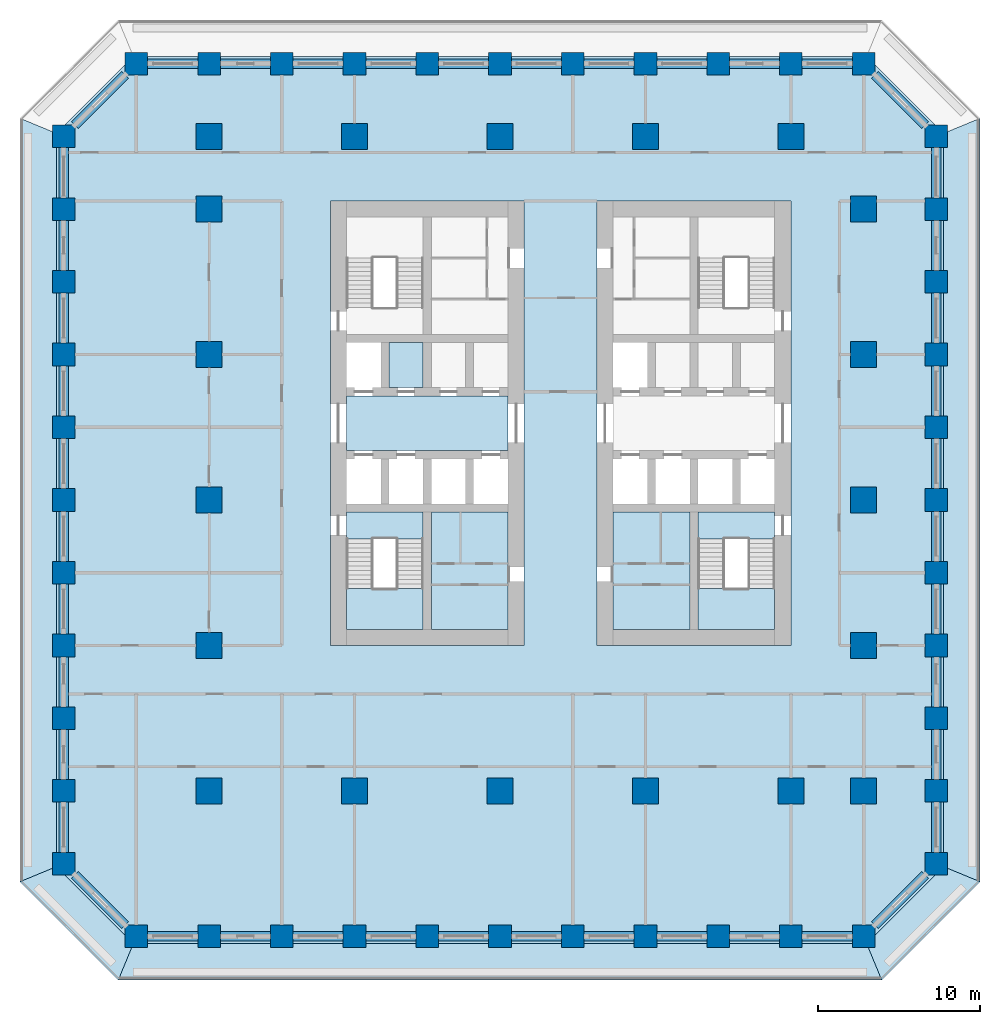
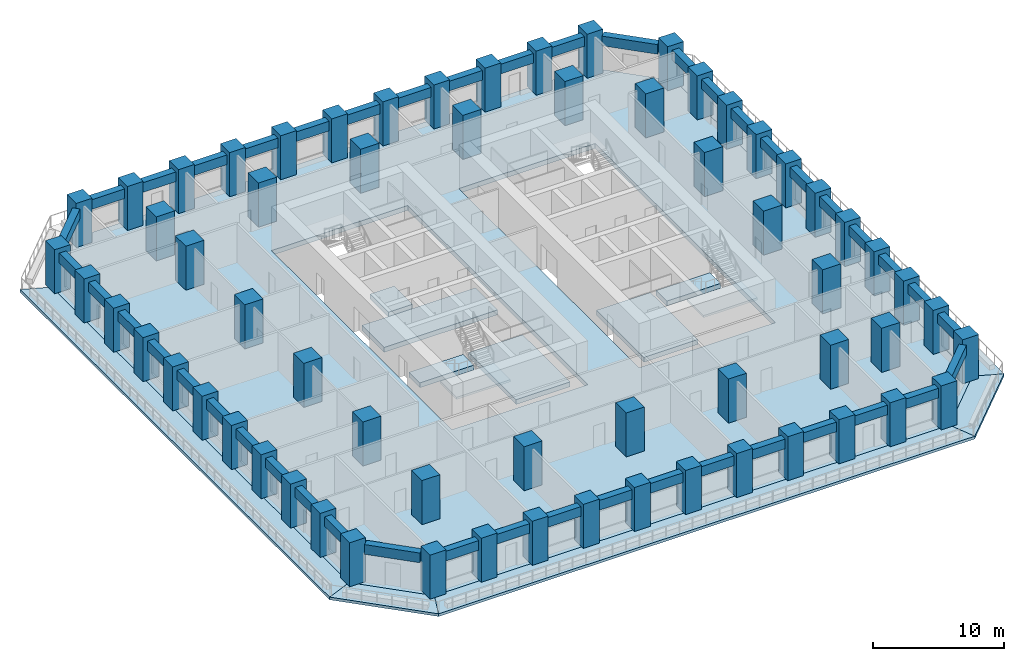
# One storey, part 1 of 12: 63 columns, 44 beams, 14 slabs, 2 elements without a shape of their own.
"""IFC4 building model written with IfcOpenShell, lengths in metres."""

from ifc_helpers import new_model, si_unit, direction, frame, origin, origin_2d, place, context, subcontext, project, spatial, polyline, rectangle, outline, extrude, material, layer, layer_set, material_profile, profile_set, type_object, element, aggregate, save


model = new_model("IFC4")

# Units and contexts
model_context = context("Model", 3, precision=1e-05, world=origin(), true_north=direction((0.0, 1.0)))
body_context = subcontext(model_context, "Body", "Model", "MODEL_VIEW")
ifc_project = project(units=[si_unit("LENGTHUNIT", "METRE"), si_unit("AREAUNIT", "SQUARE_METRE"), si_unit("VOLUMEUNIT", "CUBIC_METRE"), si_unit("PLANEANGLEUNIT", "RADIAN"), si_unit("MASSUNIT", "GRAM", prefix="KILO")], contexts=[model_context])

# Site, building, storey
site_placement = place(None, origin())
site = spatial("IfcSite", under=ifc_project, at=site_placement, CompositionType="ELEMENT")
building_placement = place(site_placement, origin())
building = spatial("IfcBuilding", under=site, at=building_placement, Name="Corbel Stack Research Tower", CompositionType="ELEMENT")
storey_placement = place(building_placement, frame((0.0, 0.0, 27.699951171875)))
storey = spatial("IfcBuildingStorey", under=building, at=storey_placement, Name="L06", CompositionType="ELEMENT", Elevation=27.699951171875)

# Columns
ifc_material_1 = material(Name="Concrete C70/85", Category="concrete")
ifc_material_profile_1 = material_profile(ifc_material_1, rectangle(XDim=1.39990234375, YDim=1.39990234375, at=origin_2d()), Name="RC 1400 x 1400")
ifc_profile_set_1 = profile_set([ifc_material_profile_1], Name="Concrete C70/85")
column_type_1 = type_object("IfcColumnType", Name="C-1400-70", PredefinedType="COLUMN", material=ifc_profile_set_1)
for number, where, z_axis, x_axis, name in (
    (1, (-27.0, -22.5, 0.0), (0.0, 0.0, 1.0), (1.0, 0.0, 0.0), "Column 2/C L06"),
    (2, (-27.0, -18.0, 0.0), (0.0, 0.0, 1.0), (1.0, 0.0, 0.0), "Column 2/D L06"),
    (3, (-27.0, -13.5, 0.0), (0.0, 0.0, 1.0), (1.0, 0.0, 0.0), "Column 2/E L06"),
    (4, (-27.0, -9.0, 0.0), (0.0, 0.0, 1.0), (1.0, 0.0, 0.0), "Column 2/F L06"),
    (5, (-27.0, -4.5, 0.0), (0.0, 0.0, 1.0), (1.0, 0.0, 0.0), "Column 2/G L06"),
    (6, (-27.0, 0.0, 0.0), (0.0, 0.0, 1.0), (1.0, 0.0, 0.0), "Column 2/H L06"),
    (7, (-27.0, 4.5, 0.0), (0.0, 0.0, 1.0), (1.0, 0.0, 0.0), "Column 2/J L06"),
    (8, (-27.0, 9.0, 0.0), (0.0, 0.0, 1.0), (1.0, 0.0, 0.0), "Column 2/K L06"),
    (9, (-27.0, 13.5, 0.0), (0.0, 0.0, 1.0), (1.0, 0.0, 0.0), "Column 2/L L06"),
    (10, (-27.0, 18.0, 0.0), (0.0, 0.0, 1.0), (1.0, 0.0, 0.0), "Column 2/M L06"),
    (11, (-27.0, 22.5, 0.0), (0.0, 0.0, 1.0), (1.0, 0.0, 0.0), "Column 2/N L06"),
    (12, (-22.5, -27.0, 0.0), (0.0, 0.0, 1.0), (1.0, 0.0, 0.0), "Column 3/B L06"),
    (13, (-22.5, 27.0, 0.0), (0.0, 0.0, 1.0), (1.0, 0.0, 0.0), "Column 3/P L06"),
    (14, (-18.0, -27.0, 0.0), (0.0, 0.0, 1.0), (1.0, 0.0, 0.0), "Column 4/B L06"),
    (15, (-18.0, 27.0, 0.0), (0.0, 0.0, 1.0), (1.0, 0.0, 0.0), "Column 4/P L06"),
    (16, (-13.5, -27.0, 0.0), (0.0, 0.0, 1.0), (1.0, 0.0, 0.0), "Column 5/B L06"),
    (17, (-13.5, 27.0, 0.0), (0.0, 0.0, 1.0), (1.0, 0.0, 0.0), "Column 5/P L06"),
    (18, (-9.0, -27.0, 0.0), (0.0, 0.0, 1.0), (1.0, 0.0, 0.0), "Column 6/B L06"),
    (19, (-9.0, 27.0, 0.0), (0.0, 0.0, 1.0), (1.0, 0.0, 0.0), "Column 6/P L06"),
    (20, (-4.5, -27.0, 0.0), (0.0, 0.0, 1.0), (1.0, 0.0, 0.0), "Column 7/B L06"),
    (21, (-4.5, 27.0, 0.0), (0.0, 0.0, 1.0), (1.0, 0.0, 0.0), "Column 7/P L06"),
    (22, (0.0, -27.0, 0.0), (0.0, 0.0, 1.0), (1.0, 0.0, 0.0), "Column 8/B L06"),
    (23, (0.0, 27.0, 0.0), (0.0, 0.0, 1.0), (1.0, 0.0, 0.0), "Column 8/P L06"),
    (24, (4.5, -27.0, 0.0), (0.0, 0.0, 1.0), (1.0, 0.0, 0.0), "Column 9/B L06"),
    (25, (4.5, 27.0, 0.0), (0.0, 0.0, 1.0), (1.0, 0.0, 0.0), "Column 9/P L06"),
    (26, (9.0, -27.0, 0.0), (0.0, 0.0, 1.0), (1.0, 0.0, 0.0), "Column 10/B L06"),
    (27, (9.0, 27.0, 0.0), (0.0, 0.0, 1.0), (1.0, 0.0, 0.0), "Column 10/P L06"),
    (28, (13.5, -27.0, 0.0), (0.0, 0.0, 1.0), (1.0, 0.0, 0.0), "Column 11/B L06"),
    (29, (13.5, 27.0, 0.0), (0.0, 0.0, 1.0), (1.0, 0.0, 0.0), "Column 11/P L06"),
    (30, (18.0, -27.0, 0.0), (0.0, 0.0, 1.0), (1.0, 0.0, 0.0), "Column 12/B L06"),
    (31, (18.0, 27.0, 0.0), (0.0, 0.0, 1.0), (1.0, 0.0, 0.0), "Column 12/P L06"),
    (32, (22.5, -27.0, 0.0), (0.0, 0.0, 1.0), (1.0, 0.0, 0.0), "Column 13/B L06"),
    (33, (22.5, 27.0, 0.0), (0.0, 0.0, 1.0), (1.0, 0.0, 0.0), "Column 13/P L06"),
    (34, (27.0, -22.5, 0.0), (0.0, 0.0, 1.0), (1.0, 0.0, 0.0), "Column 14/C L06"),
    (35, (27.0, -18.0, 0.0), (0.0, 0.0, 1.0), (1.0, 0.0, 0.0), "Column 14/D L06"),
    (36, (27.0, -13.5, 0.0), (0.0, 0.0, 1.0), (1.0, 0.0, 0.0), "Column 14/E L06"),
    (37, (27.0, -9.0, 0.0), (0.0, 0.0, 1.0), (1.0, 0.0, 0.0), "Column 14/F L06"),
    (38, (27.0, -4.5, 0.0), (0.0, 0.0, 1.0), (1.0, 0.0, 0.0), "Column 14/G L06"),
    (39, (27.0, 0.0, 0.0), (0.0, 0.0, 1.0), (1.0, 0.0, 0.0), "Column 14/H L06"),
    (40, (27.0, 4.5, 0.0), (0.0, 0.0, 1.0), (1.0, 0.0, 0.0), "Column 14/J L06"),
    (41, (27.0, 9.0, 0.0), (0.0, 0.0, 1.0), (1.0, 0.0, 0.0), "Column 14/K L06"),
    (42, (27.0, 13.5, 0.0), (0.0, 0.0, 1.0), (1.0, 0.0, 0.0), "Column 14/L L06"),
    (43, (27.0, 18.0, 0.0), (0.0, 0.0, 1.0), (1.0, 0.0, 0.0), "Column 14/M L06"),
    (44, (27.0, 22.5, 0.0), (0.0, 0.0, 1.0), (1.0, 0.0, 0.0), "Column 14/N L06"),
):
    element("IfcColumn", number, at=place(storey_placement, frame(where, z_axis=z_axis, x_axis=x_axis)), inside=storey, type_object=column_type_1, Name=name, PredefinedType="COLUMN", context=body_context, shape_type="SweptSolid", body=[
        extrude(rectangle(XDim=1.39990234375, YDim=1.39990234375, at=origin_2d()), origin(), (0.0, 0.0, 1.0), 4.10009765625),
    ])
ifc_material_2 = material(Name="Concrete C70/85", Category="concrete")
ifc_material_profile_2 = material_profile(ifc_material_2, rectangle(XDim=1.60009765625, YDim=1.60009765625, at=origin_2d()), Name="RC 1600 x 1600")
ifc_profile_set_2 = profile_set([ifc_material_profile_2], Name="Concrete C70/85")
column_type_2 = type_object("IfcColumnType", Name="C-1600-70", PredefinedType="COLUMN", material=ifc_profile_set_2)
for number, where, z_axis, x_axis, name in (
    (45, (-18.0, -18.0, 0.0), (0.0, 0.0, 1.0), (1.0, 0.0, 0.0), "Column 4/D L06"),
    (46, (-18.0, -9.0, 0.0), (0.0, 0.0, 1.0), (1.0, 0.0, 0.0), "Column 4/F L06"),
    (47, (-18.0, 0.0, 0.0), (0.0, 0.0, 1.0), (1.0, 0.0, 0.0), "Column 4/H L06"),
    (48, (-18.0, 9.0, 0.0), (0.0, 0.0, 1.0), (1.0, 0.0, 0.0), "Column 4/K L06"),
    (49, (-18.0, 18.0, 0.0), (0.0, 0.0, 1.0), (1.0, 0.0, 0.0), "Column 4/M L06"),
    (50, (-18.0, 22.5, 0.0), (0.0, 0.0, 1.0), (1.0, 0.0, 0.0), "Column 4/N L06"),
    (51, (-9.0, -18.0, 0.0), (0.0, 0.0, 1.0), (1.0, 0.0, 0.0), "Column 6/D L06"),
    (52, (-9.0, 22.5, 0.0), (0.0, 0.0, 1.0), (1.0, 0.0, 0.0), "Column 6/N L06"),
    (53, (0.0, -18.0, 0.0), (0.0, 0.0, 1.0), (1.0, 0.0, 0.0), "Column 8/D L06"),
    (54, (0.0, 22.5, 0.0), (0.0, 0.0, 1.0), (1.0, 0.0, 0.0), "Column 8/N L06"),
    (55, (9.0, -18.0, 0.0), (0.0, 0.0, 1.0), (1.0, 0.0, 0.0), "Column 10/D L06"),
    (56, (9.0, 22.5, 0.0), (0.0, 0.0, 1.0), (1.0, 0.0, 0.0), "Column 10/N L06"),
    (57, (18.0, -18.0, 0.0), (0.0, 0.0, 1.0), (1.0, 0.0, 0.0), "Column 12/D L06"),
    (58, (18.0, 22.5, 0.0), (0.0, 0.0, 1.0), (1.0, 0.0, 0.0), "Column 12/N L06"),
    (59, (22.5, -18.0, 0.0), (0.0, 0.0, 1.0), (1.0, 0.0, 0.0), "Column 13/D L06"),
    (60, (22.5, -9.0, 0.0), (0.0, 0.0, 1.0), (1.0, 0.0, 0.0), "Column 13/F L06"),
    (61, (22.5, 0.0, 0.0), (0.0, 0.0, 1.0), (1.0, 0.0, 0.0), "Column 13/H L06"),
    (62, (22.5, 9.0, 0.0), (0.0, 0.0, 1.0), (1.0, 0.0, 0.0), "Column 13/K L06"),
    (63, (22.5, 18.0, 0.0), (0.0, 0.0, 1.0), (1.0, 0.0, 0.0), "Column 13/M L06"),
):
    element("IfcColumn", number, at=place(storey_placement, frame(where, z_axis=z_axis, x_axis=x_axis)), inside=storey, type_object=column_type_2, Name=name, PredefinedType="COLUMN", context=body_context, shape_type="SweptSolid", body=[
        extrude(rectangle(XDim=1.60009765625, YDim=1.60009765625, at=origin_2d()), origin(), (0.0, 0.0, 1.0), 4.10009765625),
    ])

# Beams
ifc_material_3 = material(Name="Concrete C60/75", Category="concrete")
ifc_material_profile_3 = material_profile(ifc_material_3, rectangle(XDim=0.60009765625, YDim=0.89990234375, at=origin_2d()), Name="RC 600 x 900")
ifc_profile_set_3 = profile_set([ifc_material_profile_3], Name="Concrete C60/75")
beam_type = type_object("IfcBeamType", Name="SB-600-900-450", PredefinedType="SPANDREL", material=ifc_profile_set_3)
for number, where, z_axis, x_axis, name in (
    (64, (-21.800048828125, -27.0, 3.199951171875), (1.0, 0.0, 0.0), (0.0, 1.0, 0.0), "Spandrel beam L06-01"),
    (65, (-17.300048828125, -27.0, 3.199951171875), (1.0, 0.0, 0.0), (0.0, 1.0, 0.0), "Spandrel beam L06-02"),
    (66, (-12.800048828125, -27.0, 3.199951171875), (1.0, 0.0, 0.0), (0.0, 1.0, 0.0), "Spandrel beam L06-03"),
    (67, (-8.300048828125, -27.0, 3.199951171875), (1.0, 0.0, 0.0), (0.0, 1.0, 0.0), "Spandrel beam L06-04"),
    (68, (-3.800048828125, -27.0, 3.199951171875), (1.0, 0.0, 0.0), (0.0, 1.0, 0.0), "Spandrel beam L06-05"),
    (69, (0.699951171875, -27.0, 3.199951171875), (1.0, 0.0, 0.0), (0.0, 1.0, 0.0), "Spandrel beam L06-06"),
    (70, (5.199951171875, -27.0, 3.199951171875), (1.0, 0.0, 0.0), (0.0, 1.0, 0.0), "Spandrel beam L06-07"),
    (71, (9.699951171875, -27.0, 3.199951171875), (1.0, 0.0, 0.0), (0.0, 1.0, 0.0), "Spandrel beam L06-08"),
    (72, (14.199951171875, -27.0, 3.199951171875), (1.0, 0.0, 0.0), (0.0, 1.0, 0.0), "Spandrel beam L06-09"),
    (73, (18.699951171875, -27.0, 3.199951171875), (1.0, 0.0, 0.0), (0.0, 1.0, 0.0), "Spandrel beam L06-10"),
):
    element("IfcBeam", number, at=place(storey_placement, frame(where, z_axis=z_axis, x_axis=x_axis)), inside=storey, type_object=beam_type, Name=name, PredefinedType="SPANDREL", context=body_context, shape_type="SweptSolid", body=[
        extrude(rectangle(XDim=0.60009765625, YDim=0.89990234375, at=origin_2d()), origin(), (0.0, 0.0, 1.0), 3.10009765625),
    ])
beam_1_placement = place(storey_placement, frame((23.199951171875, -26.300048828125, 3.199951171875), z_axis=(0.707106781187, 0.707106781187, 0.0), x_axis=(-0.707106781187, 0.707106781187, 0.0)))
element("IfcBeam", 74, at=beam_1_placement, inside=storey, type_object=beam_type, Name="Spandrel beam L06-11", PredefinedType="SPANDREL", context=body_context, shape_type="SweptSolid", body=[
    extrude(rectangle(XDim=0.60009765625, YDim=0.89990234375, at=origin_2d()), origin(), (0.0, 0.0, 1.0), 4.38427734375),
])
for number, where, z_axis, x_axis, name in (
    (75, (27.0, -21.800048828125, 3.199951171875), (0.0, 1.0, 0.0), (-1.0, 0.0, 0.0), "Spandrel beam L06-12"),
    (76, (27.0, -17.300048828125, 3.199951171875), (0.0, 1.0, 0.0), (-1.0, 0.0, 0.0), "Spandrel beam L06-13"),
    (77, (27.0, -12.800048828125, 3.199951171875), (0.0, 1.0, 0.0), (-1.0, 0.0, 0.0), "Spandrel beam L06-14"),
    (78, (27.0, -8.300048828125, 3.199951171875), (0.0, 1.0, 0.0), (-1.0, 0.0, 0.0), "Spandrel beam L06-15"),
    (79, (27.0, -3.800048828125, 3.199951171875), (0.0, 1.0, 0.0), (-1.0, 0.0, 0.0), "Spandrel beam L06-16"),
    (80, (27.0, 0.699951171875, 3.199951171875), (0.0, 1.0, 0.0), (-1.0, 0.0, 0.0), "Spandrel beam L06-17"),
    (81, (27.0, 5.199951171875, 3.199951171875), (0.0, 1.0, 0.0), (-1.0, 0.0, 0.0), "Spandrel beam L06-18"),
    (82, (27.0, 9.699951171875, 3.199951171875), (0.0, 1.0, 0.0), (-1.0, 0.0, 0.0), "Spandrel beam L06-19"),
    (83, (27.0, 14.199951171875, 3.199951171875), (0.0, 1.0, 0.0), (-1.0, 0.0, 0.0), "Spandrel beam L06-20"),
    (84, (27.0, 18.699951171875, 3.199951171875), (0.0, 1.0, 0.0), (-1.0, 0.0, 0.0), "Spandrel beam L06-21"),
):
    element("IfcBeam", number, at=place(storey_placement, frame(where, z_axis=z_axis, x_axis=x_axis)), inside=storey, type_object=beam_type, Name=name, PredefinedType="SPANDREL", context=body_context, shape_type="SweptSolid", body=[
        extrude(rectangle(XDim=0.60009765625, YDim=0.89990234375, at=origin_2d()), origin(), (0.0, 0.0, 1.0), 3.10009765625),
    ])
beam_2_placement = place(storey_placement, frame((26.300048828125, 23.199951171875, 3.199951171875), z_axis=(-0.707106781187, 0.707106781187, 0.0), x_axis=(-0.707106781187, -0.707106781187, 0.0)))
element("IfcBeam", 85, at=beam_2_placement, inside=storey, type_object=beam_type, Name="Spandrel beam L06-22", PredefinedType="SPANDREL", context=body_context, shape_type="SweptSolid", body=[
    extrude(rectangle(XDim=0.60009765625, YDim=0.89990234375, at=origin_2d()), origin(), (0.0, 0.0, 1.0), 4.38427734375),
])
for number, where, z_axis, x_axis, name in (
    (86, (21.800048828125, 27.0, 3.199951171875), (-1.0, 0.0, 0.0), (0.0, -1.0, 0.0), "Spandrel beam L06-23"),
    (87, (17.300048828125, 27.0, 3.199951171875), (-1.0, 0.0, 0.0), (0.0, -1.0, 0.0), "Spandrel beam L06-24"),
    (88, (12.800048828125, 27.0, 3.199951171875), (-1.0, 0.0, 0.0), (0.0, -1.0, 0.0), "Spandrel beam L06-25"),
    (89, (8.300048828125, 27.0, 3.199951171875), (-1.0, 0.0, 0.0), (0.0, -1.0, 0.0), "Spandrel beam L06-26"),
    (90, (3.800048828125, 27.0, 3.199951171875), (-1.0, 0.0, 0.0), (0.0, -1.0, 0.0), "Spandrel beam L06-27"),
    (91, (-0.699951171875, 27.0, 3.199951171875), (-1.0, 0.0, 0.0), (0.0, -1.0, 0.0), "Spandrel beam L06-28"),
    (92, (-5.199951171875, 27.0, 3.199951171875), (-1.0, 0.0, 0.0), (0.0, -1.0, 0.0), "Spandrel beam L06-29"),
    (93, (-9.699951171875, 27.0, 3.199951171875), (-1.0, 0.0, 0.0), (0.0, -1.0, 0.0), "Spandrel beam L06-30"),
    (94, (-14.199951171875, 27.0, 3.199951171875), (-1.0, 0.0, 0.0), (0.0, -1.0, 0.0), "Spandrel beam L06-31"),
    (95, (-18.699951171875, 27.0, 3.199951171875), (-1.0, 0.0, 0.0), (0.0, -1.0, 0.0), "Spandrel beam L06-32"),
):
    element("IfcBeam", number, at=place(storey_placement, frame(where, z_axis=z_axis, x_axis=x_axis)), inside=storey, type_object=beam_type, Name=name, PredefinedType="SPANDREL", context=body_context, shape_type="SweptSolid", body=[
        extrude(rectangle(XDim=0.60009765625, YDim=0.89990234375, at=origin_2d()), origin(), (0.0, 0.0, 1.0), 3.10009765625),
    ])
beam_3_placement = place(storey_placement, frame((-23.199951171875, 26.300048828125, 3.199951171875), z_axis=(-0.707106781187, -0.707106781187, 0.0), x_axis=(0.707106781187, -0.707106781187, 0.0)))
element("IfcBeam", 96, at=beam_3_placement, inside=storey, type_object=beam_type, Name="Spandrel beam L06-33", PredefinedType="SPANDREL", context=body_context, shape_type="SweptSolid", body=[
    extrude(rectangle(XDim=0.60009765625, YDim=0.89990234375, at=origin_2d()), origin(), (0.0, 0.0, 1.0), 4.38427734375),
])
for number, where, z_axis, x_axis, name in (
    (97, (-27.0, 21.800048828125, 3.199951171875), (0.0, -1.0, 0.0), (1.0, 0.0, 0.0), "Spandrel beam L06-34"),
    (98, (-27.0, 17.300048828125, 3.199951171875), (0.0, -1.0, 0.0), (1.0, 0.0, 0.0), "Spandrel beam L06-35"),
    (99, (-27.0, 12.800048828125, 3.199951171875), (0.0, -1.0, 0.0), (1.0, 0.0, 0.0), "Spandrel beam L06-36"),
    (100, (-27.0, 8.300048828125, 3.199951171875), (0.0, -1.0, 0.0), (1.0, 0.0, 0.0), "Spandrel beam L06-37"),
    (101, (-27.0, 3.800048828125, 3.199951171875), (0.0, -1.0, 0.0), (1.0, 0.0, 0.0), "Spandrel beam L06-38"),
    (102, (-27.0, -0.699951171875, 3.199951171875), (0.0, -1.0, 0.0), (1.0, 0.0, 0.0), "Spandrel beam L06-39"),
    (103, (-27.0, -5.199951171875, 3.199951171875), (0.0, -1.0, 0.0), (1.0, 0.0, 0.0), "Spandrel beam L06-40"),
    (104, (-27.0, -9.699951171875, 3.199951171875), (0.0, -1.0, 0.0), (1.0, 0.0, 0.0), "Spandrel beam L06-41"),
    (105, (-27.0, -14.199951171875, 3.199951171875), (0.0, -1.0, 0.0), (1.0, 0.0, 0.0), "Spandrel beam L06-42"),
    (106, (-27.0, -18.699951171875, 3.199951171875), (0.0, -1.0, 0.0), (1.0, 0.0, 0.0), "Spandrel beam L06-43"),
):
    element("IfcBeam", number, at=place(storey_placement, frame(where, z_axis=z_axis, x_axis=x_axis)), inside=storey, type_object=beam_type, Name=name, PredefinedType="SPANDREL", context=body_context, shape_type="SweptSolid", body=[
        extrude(rectangle(XDim=0.60009765625, YDim=0.89990234375, at=origin_2d()), origin(), (0.0, 0.0, 1.0), 3.10009765625),
    ])
beam_4_placement = place(storey_placement, frame((-26.300048828125, -23.199951171875, 3.199951171875), z_axis=(0.707106781187, -0.707106781187, 0.0), x_axis=(0.707106781187, 0.707106781187, 0.0)))
element("IfcBeam", 107, at=beam_4_placement, inside=storey, type_object=beam_type, Name="Spandrel beam L06-44", PredefinedType="SPANDREL", context=body_context, shape_type="SweptSolid", body=[
    extrude(rectangle(XDim=0.60009765625, YDim=0.89990234375, at=origin_2d()), origin(), (0.0, 0.0, 1.0), 4.38427734375),
])

# Slabs
ifc_material_4 = material(Name="Concrete C45/55", Category="concrete")
ifc_layer_1 = layer(ifc_material_4, 0.25)
ifc_layer_set_1 = layer_set([ifc_layer_1], Name="Concrete C45/55")
slab_type_1 = type_object("IfcSlabType", Name="PT balcony slab 250 C45/55", PredefinedType="FLOOR", material=ifc_layer_set_1)
slab_1_placement = place(storey_placement, frame((0.0, 0.0, -0.25)))
element("IfcSlab", 108, at=slab_1_placement, inside=storey, type_object=slab_type_1, Name="Loggia slab L06 S", PredefinedType="FLOOR", context=body_context, shape_type="SweptSolid", body=[
    extrude(outline(polyline([(22.789794921875, -27.699951171875), (21.800048828125, -27.699951171875), (21.800048828125, -27.449951171875), (18.699951171875, -27.449951171875), (18.699951171875, -27.699951171875), (17.300048828125, -27.699951171875), (17.300048828125, -27.449951171875), (14.199951171875, -27.449951171875), (14.199951171875, -27.699951171875), (12.800048828125, -27.699951171875), (12.800048828125, -27.449951171875), (9.699951171875, -27.449951171875), (9.699951171875, -27.699951171875), (8.300048828125, -27.699951171875), (8.300048828125, -27.449951171875), (5.199951171875, -27.449951171875), (5.199951171875, -27.699951171875), (3.800048828125, -27.699951171875), (3.800048828125, -27.449951171875), (0.699951171875, -27.449951171875), (0.699951171875, -27.699951171875), (-0.699951171875, -27.699951171875), (-0.699951171875, -27.449951171875), (-3.800048828125, -27.449951171875), (-3.800048828125, -27.699951171875), (-5.199951171875, -27.699951171875), (-5.199951171875, -27.449951171875), (-8.300048828125, -27.449951171875), (-8.300048828125, -27.699951171875), (-9.699951171875, -27.699951171875), (-9.699951171875, -27.449951171875), (-12.800048828125, -27.449951171875), (-12.800048828125, -27.699951171875), (-14.199951171875, -27.699951171875), (-14.199951171875, -27.449951171875), (-17.300048828125, -27.449951171875), (-17.300048828125, -27.699951171875), (-18.699951171875, -27.699951171875), (-18.699951171875, -27.449951171875), (-21.800048828125, -27.449951171875), (-21.800048828125, -27.699951171875), (-22.789794921875, -27.699951171875), (-23.618408203125, -29.699951171875), (23.618408203125, -29.699951171875), (22.789794921875, -27.699951171875)])), origin(), (0.0, 0.0, 1.0), 0.25),
])
slab_2_placement = place(storey_placement, frame((0.0, 0.0, -0.25)))
element("IfcSlab", 109, at=slab_2_placement, inside=storey, type_object=slab_type_1, Name="Loggia slab L06 SE", PredefinedType="FLOOR", context=body_context, shape_type="SweptSolid", body=[
    extrude(outline(polyline([(27.699951171875, -22.789794921875), (27.699951171875, -23.199951171875), (26.936279296875, -23.199951171875), (23.199951171875, -26.936279296875), (23.199951171875, -27.699951171875), (22.789794921875, -27.699951171875), (23.618408203125, -29.699951171875), (29.699951171875, -23.618408203125), (27.699951171875, -22.789794921875)])), origin(), (0.0, 0.0, 1.0), 0.25),
])
slab_3_placement = place(storey_placement, frame((0.0, 0.0, -0.25)))
element("IfcSlab", 110, at=slab_3_placement, inside=storey, type_object=slab_type_1, Name="Loggia slab L06 E", PredefinedType="FLOOR", context=body_context, shape_type="SweptSolid", body=[
    extrude(outline(polyline([(27.699951171875, 22.789794921875), (27.699951171875, 21.800048828125), (27.449951171875, 21.800048828125), (27.449951171875, 18.699951171875), (27.699951171875, 18.699951171875), (27.699951171875, 17.300048828125), (27.449951171875, 17.300048828125), (27.449951171875, 14.199951171875), (27.699951171875, 14.199951171875), (27.699951171875, 12.800048828125), (27.449951171875, 12.800048828125), (27.449951171875, 9.699951171875), (27.699951171875, 9.699951171875), (27.699951171875, 8.300048828125), (27.449951171875, 8.300048828125), (27.449951171875, 5.199951171875), (27.699951171875, 5.199951171875), (27.699951171875, 3.800048828125), (27.449951171875, 3.800048828125), (27.449951171875, 0.699951171875), (27.699951171875, 0.699951171875), (27.699951171875, -0.699951171875), (27.449951171875, -0.699951171875), (27.449951171875, -3.800048828125), (27.699951171875, -3.800048828125), (27.699951171875, -5.199951171875), (27.449951171875, -5.199951171875), (27.449951171875, -8.300048828125), (27.699951171875, -8.300048828125), (27.699951171875, -9.699951171875), (27.449951171875, -9.699951171875), (27.449951171875, -12.800048828125), (27.699951171875, -12.800048828125), (27.699951171875, -14.199951171875), (27.449951171875, -14.199951171875), (27.449951171875, -17.300048828125), (27.699951171875, -17.300048828125), (27.699951171875, -18.699951171875), (27.449951171875, -18.699951171875), (27.449951171875, -21.800048828125), (27.699951171875, -21.800048828125), (27.699951171875, -22.789794921875), (29.699951171875, -23.618408203125), (29.699951171875, 23.618408203125), (27.699951171875, 22.789794921875)])), origin(), (0.0, 0.0, 1.0), 0.25),
])
slab_4_placement = place(storey_placement, frame((0.0, 0.0, -0.25)))
element("IfcSlab", 111, at=slab_4_placement, inside=storey, type_object=slab_type_1, Name="Loggia slab L06 W", PredefinedType="FLOOR", context=body_context, shape_type="SweptSolid", body=[
    extrude(outline(polyline([(-27.699951171875, -22.789794921875), (-27.699951171875, -21.800048828125), (-27.449951171875, -21.800048828125), (-27.449951171875, -18.699951171875), (-27.699951171875, -18.699951171875), (-27.699951171875, -17.300048828125), (-27.449951171875, -17.300048828125), (-27.449951171875, -14.199951171875), (-27.699951171875, -14.199951171875), (-27.699951171875, -12.800048828125), (-27.449951171875, -12.800048828125), (-27.449951171875, -9.699951171875), (-27.699951171875, -9.699951171875), (-27.699951171875, -8.300048828125), (-27.449951171875, -8.300048828125), (-27.449951171875, -5.199951171875), (-27.699951171875, -5.199951171875), (-27.699951171875, -3.800048828125), (-27.449951171875, -3.800048828125), (-27.449951171875, -0.699951171875), (-27.699951171875, -0.699951171875), (-27.699951171875, 0.699951171875), (-27.449951171875, 0.699951171875), (-27.449951171875, 3.800048828125), (-27.699951171875, 3.800048828125), (-27.699951171875, 5.199951171875), (-27.449951171875, 5.199951171875), (-27.449951171875, 8.300048828125), (-27.699951171875, 8.300048828125), (-27.699951171875, 9.699951171875), (-27.449951171875, 9.699951171875), (-27.449951171875, 12.800048828125), (-27.699951171875, 12.800048828125), (-27.699951171875, 14.199951171875), (-27.449951171875, 14.199951171875), (-27.449951171875, 17.300048828125), (-27.699951171875, 17.300048828125), (-27.699951171875, 18.699951171875), (-27.449951171875, 18.699951171875), (-27.449951171875, 21.800048828125), (-27.699951171875, 21.800048828125), (-27.699951171875, 22.789794921875), (-29.699951171875, 23.618408203125), (-29.699951171875, -23.618408203125), (-27.699951171875, -22.789794921875)])), origin(), (0.0, 0.0, 1.0), 0.25),
])
slab_5_placement = place(storey_placement, frame((0.0, 0.0, -0.25)))
element("IfcSlab", 112, at=slab_5_placement, inside=storey, type_object=slab_type_1, Name="Loggia slab L06 SW", PredefinedType="FLOOR", context=body_context, shape_type="SweptSolid", body=[
    extrude(outline(polyline([(-22.789794921875, -27.699951171875), (-23.199951171875, -27.699951171875), (-23.199951171875, -26.936279296875), (-26.936279296875, -23.199951171875), (-27.699951171875, -23.199951171875), (-27.699951171875, -22.789794921875), (-29.699951171875, -23.618408203125), (-23.618408203125, -29.699951171875), (-22.789794921875, -27.699951171875)])), origin(), (0.0, 0.0, 1.0), 0.25),
])
ifc_material_5 = material(Name="Concrete C45/55", Category="concrete")
ifc_layer_2 = layer(ifc_material_5, 0.449951171875)
ifc_layer_set_2 = layer_set([ifc_layer_2], Name="Concrete C45/55")
slab_type_2 = type_object("IfcSlabType", Name="PT-450", PredefinedType="FLOOR", material=ifc_layer_set_2)
slab_6_placement = place(storey_placement, frame((0.0, 0.0, -0.449951171875)))
element("IfcSlab", 113, at=slab_6_placement, inside=storey, type_object=slab_type_2, Name="Floor slab L06", PredefinedType="FLOOR", context=body_context, shape_type="SweptSolid", body=[
    extrude(outline(polyline([(-22.686279296875, -27.449951171875), (22.686279296875, -27.449951171875), (27.449951171875, -22.686279296875), (27.449951171875, 22.686279296875), (22.686279296875, 27.449951171875), (-22.686279296875, 27.449951171875), (-27.449951171875, 22.686279296875), (-27.449951171875, -22.686279296875), (-22.686279296875, -27.449951171875)]), holes=[polyline([(23.300048828125, 17.199951171875), (21.699951171875, 17.199951171875), (21.699951171875, 18.800048828125), (23.300048828125, 18.800048828125), (23.300048828125, 17.199951171875)]), polyline([(21.699951171875, 8.199951171875), (21.699951171875, 9.800048828125), (23.300048828125, 9.800048828125), (23.300048828125, 8.199951171875), (21.699951171875, 8.199951171875)]), polyline([(23.300048828125, -0.800048828125), (21.699951171875, -0.800048828125), (21.699951171875, 0.800048828125), (23.300048828125, 0.800048828125), (23.300048828125, -0.800048828125)]), polyline([(21.699951171875, -9.800048828125), (21.699951171875, -8.199951171875), (23.300048828125, -8.199951171875), (23.300048828125, -9.800048828125), (21.699951171875, -9.800048828125)]), polyline([(21.699951171875, -18.800048828125), (21.699951171875, -17.199951171875), (23.300048828125, -17.199951171875), (23.300048828125, -18.800048828125), (21.699951171875, -18.800048828125)]), polyline([(17.199951171875, 21.699951171875), (17.199951171875, 23.300048828125), (18.800048828125, 23.300048828125), (18.800048828125, 21.699951171875), (17.199951171875, 21.699951171875)]), polyline([(18.800048828125, -18.800048828125), (17.199951171875, -18.800048828125), (17.199951171875, -17.199951171875), (18.800048828125, -17.199951171875), (18.800048828125, -18.800048828125)]), polyline([(6.0, -9.0), (6.0, 18.5), (18.0, 18.5), (18.0, -9.0), (6.0, -9.0)]), polyline([(8.199951171875, 21.699951171875), (8.199951171875, 23.300048828125), (9.800048828125, 23.300048828125), (9.800048828125, 21.699951171875), (8.199951171875, 21.699951171875)]), polyline([(9.800048828125, -18.800048828125), (8.199951171875, -18.800048828125), (8.199951171875, -17.199951171875), (9.800048828125, -17.199951171875), (9.800048828125, -18.800048828125)]), polyline([(1.5, -9.0), (-10.5, -9.0), (-10.5, 18.5), (1.5, 18.5), (1.5, -9.0)]), polyline([(0.800048828125, 21.699951171875), (-0.800048828125, 21.699951171875), (-0.800048828125, 23.300048828125), (0.800048828125, 23.300048828125), (0.800048828125, 21.699951171875)]), polyline([(0.800048828125, -18.800048828125), (-0.800048828125, -18.800048828125), (-0.800048828125, -17.199951171875), (0.800048828125, -17.199951171875), (0.800048828125, -18.800048828125)]), polyline([(-9.800048828125, 21.699951171875), (-9.800048828125, 23.300048828125), (-8.199951171875, 23.300048828125), (-8.199951171875, 21.699951171875), (-9.800048828125, 21.699951171875)]), polyline([(-8.199951171875, -18.800048828125), (-9.800048828125, -18.800048828125), (-9.800048828125, -17.199951171875), (-8.199951171875, -17.199951171875), (-8.199951171875, -18.800048828125)]), polyline([(-18.800048828125, 21.699951171875), (-18.800048828125, 23.300048828125), (-17.199951171875, 23.300048828125), (-17.199951171875, 21.699951171875), (-18.800048828125, 21.699951171875)]), polyline([(-17.199951171875, 17.199951171875), (-18.800048828125, 17.199951171875), (-18.800048828125, 18.800048828125), (-17.199951171875, 18.800048828125), (-17.199951171875, 17.199951171875)]), polyline([(-17.199951171875, 8.199951171875), (-18.800048828125, 8.199951171875), (-18.800048828125, 9.800048828125), (-17.199951171875, 9.800048828125), (-17.199951171875, 8.199951171875)]), polyline([(-18.800048828125, -0.800048828125), (-18.800048828125, 0.800048828125), (-17.199951171875, 0.800048828125), (-17.199951171875, -0.800048828125), (-18.800048828125, -0.800048828125)]), polyline([(-18.800048828125, -9.800048828125), (-18.800048828125, -8.199951171875), (-17.199951171875, -8.199951171875), (-17.199951171875, -9.800048828125), (-18.800048828125, -9.800048828125)]), polyline([(-17.199951171875, -18.800048828125), (-18.800048828125, -18.800048828125), (-18.800048828125, -17.199951171875), (-17.199951171875, -17.199951171875), (-17.199951171875, -18.800048828125)])]), origin(), (0.0, 0.0, 1.0), 0.449951171875),
])
slab_7_placement = place(storey_placement, frame((0.0, 0.0, -0.449951171875)))
element("IfcSlab", 114, at=slab_7_placement, inside=storey, type_object=slab_type_2, Name="West core floor L06", PredefinedType="FLOOR", context=body_context, shape_type="SweptSolid", body=[
    extrude(outline(polyline([(-9.5, 6.449951171875), (-9.5, 3.050048828125), (0.5, 3.050048828125), (0.5, 6.449951171875), (-9.5, 6.449951171875)])), origin(), (0.0, 0.0, 1.0), 0.449951171875),
])
slab_8_placement = place(storey_placement, frame((0.0, 0.0, -0.449951171875)))
element("IfcSlab", 115, at=slab_8_placement, inside=storey, type_object=slab_type_2, Name="West core floor L06", PredefinedType="FLOOR", context=body_context, shape_type="SweptSolid", body=[
    extrude(outline(polyline([(-6.875, 6.949951171875), (-4.75, 6.949951171875), (-4.75, 9.75), (-6.875, 9.75), (-6.875, 6.949951171875)])), origin(), (0.0, 0.0, 1.0), 0.449951171875),
])
slab_9_placement = place(storey_placement, frame((0.0, 0.0, -0.449951171875)))
element("IfcSlab", 116, at=slab_9_placement, inside=storey, type_object=slab_type_2, Name="West core floor L06", PredefinedType="FLOOR", context=body_context, shape_type="SweptSolid", body=[
    extrude(outline(polyline([(-4.25, -0.75), (-4.25, -8.0), (0.5, -8.0), (0.5, -0.75), (-4.25, -0.75)])), origin(), (0.0, 0.0, 1.0), 0.449951171875),
])
slab_10_placement = place(storey_placement, frame((0.0, 0.0, -0.449951171875)))
element("IfcSlab", 117, at=slab_10_placement, inside=storey, type_object=slab_type_2, Name="East core floor L06", PredefinedType="FLOOR", context=body_context, shape_type="SweptSolid", body=[
    extrude(outline(polyline([(7.0, -0.75), (7.0, -8.0), (11.75, -8.0), (11.75, -0.75), (7.0, -0.75)])), origin(), (0.0, 0.0, 1.0), 0.449951171875),
])
slab_11_placement = place(storey_placement, frame((0.0, 0.0, -0.449951171875)))
element("IfcSlab", 118, at=slab_11_placement, inside=storey, type_object=slab_type_2, Name="Stair floor landing ST-W1", PredefinedType="FLOOR", context=body_context, shape_type="SweptSolid", body=[
    extrude(outline(polyline([(-9.5, -2.39990234375), (-4.75, -2.39990234375), (-4.75, -0.75), (-9.5, -0.75), (-9.5, -2.39990234375)])), origin(), (0.0, 0.0, 1.0), 0.449951171875),
])
slab_12_placement = place(storey_placement, frame((0.0, 0.0, -0.449951171875)))
element("IfcSlab", 119, at=slab_12_placement, inside=storey, type_object=slab_type_2, Name="Stair floor landing ST-E1", PredefinedType="FLOOR", context=body_context, shape_type="SweptSolid", body=[
    extrude(outline(polyline([(12.25, -2.39990234375), (17.0, -2.39990234375), (17.0, -0.75), (12.25, -0.75), (12.25, -2.39990234375)])), origin(), (0.0, 0.0, 1.0), 0.449951171875),
])

# Stair, slab
ifc_material_6 = material(Name="Concrete C40/50", Category="concrete")
stair_type = type_object("IfcStairType", Name="Exit stair 24 risers", PredefinedType="HALF_TURN_STAIR", material=ifc_material_6)
stair_1_placement = place(storey_placement, origin())
stair_1 = element("IfcStair", 120, at=stair_1_placement, inside=storey, type_object=stair_type, Name="L06 Exit stair ST-W1", PredefinedType="HALF_TURN_STAIR")
ifc_material_7 = material(Name="Concrete C40/50", Category="concrete")
ifc_layer_3 = layer(ifc_material_7, 0.199951171875)
ifc_layer_set_3 = layer_set([ifc_layer_3], Name="Concrete C40/50")
slab_type_3 = type_object("IfcSlabType", Name="Stair landing 200 C40/50", PredefinedType="LANDING", material=ifc_layer_set_3)
slab_13_placement = place(storey_placement, frame((0.0, 0.0, 1.85009765625)))
slab_13 = element("IfcSlab", 121, at=slab_13_placement, type_object=slab_type_3, Name="ST-W1 landing 1", PredefinedType="LANDING", context=body_context, shape_type="SweptSolid", body=[
    extrude(outline(polyline([(-9.5, -8.0), (-9.5, -5.47998046875), (-4.75, -5.47998046875), (-4.75, -8.0), (-9.5, -8.0)])), origin(), (0.0, 0.0, 1.0), 0.199951171875),
])
aggregate(stair_1, [slab_13])

stair_2_placement = place(storey_placement, origin())
stair_2 = element("IfcStair", 122, at=stair_2_placement, inside=storey, type_object=stair_type, Name="L06 Exit stair ST-E1", PredefinedType="HALF_TURN_STAIR")
slab_14_placement = place(storey_placement, frame((0.0, 0.0, 1.85009765625)))
slab_14 = element("IfcSlab", 123, at=slab_14_placement, type_object=slab_type_3, Name="ST-E1 landing 1", PredefinedType="LANDING", context=body_context, shape_type="SweptSolid", body=[
    extrude(outline(polyline([(12.25, -8.0), (12.25, -5.47998046875), (17.0, -5.47998046875), (17.0, -8.0), (12.25, -8.0)])), origin(), (0.0, 0.0, 1.0), 0.199951171875),
])
aggregate(stair_2, [slab_14])

save(model, "model.ifc")
